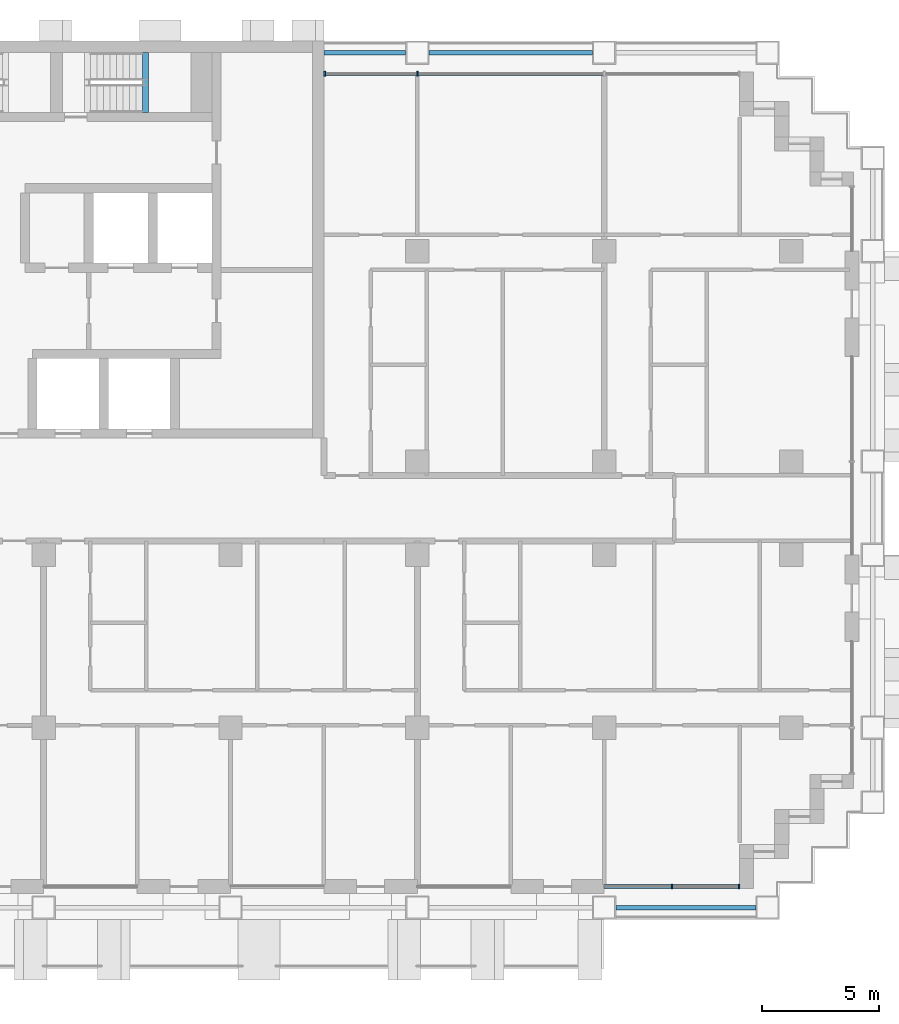
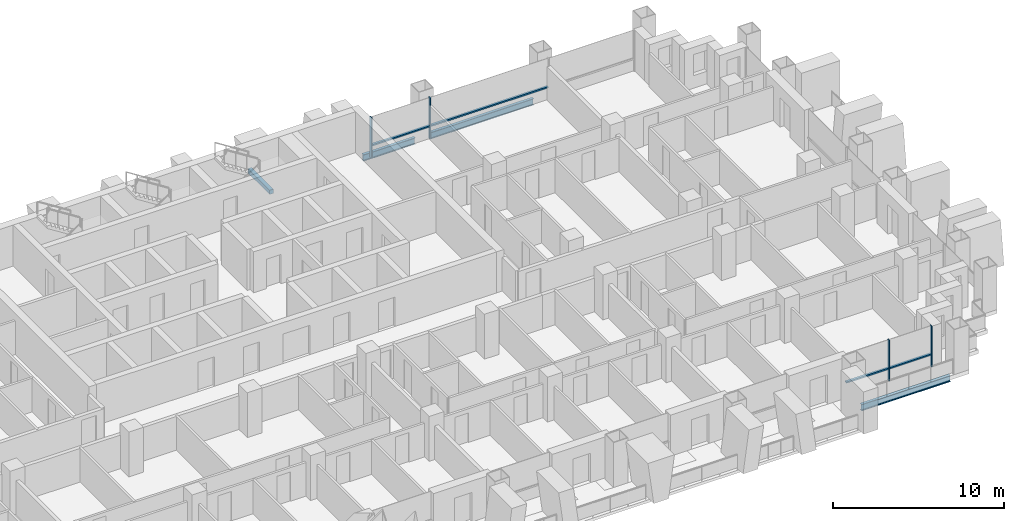
# One storey, part 5 of 18: 8 members, 4 beams, 2 elements without a shape of their own.
"""IFC4 building model written with IfcOpenShell, lengths in metres."""

from ifc_helpers import new_model, si_unit, direction, frame, origin, origin_2d, place, context, subcontext, project, spatial, rectangle, i_section, extrude, material, material_profile, profile_set, type_object, element, aggregate, save


model = new_model("IFC4")

# Units and contexts
model_context = context("Model", 3, precision=1e-05, world=origin(), true_north=direction((0.0, 1.0)))
body_context = subcontext(model_context, "Body", "Model", "MODEL_VIEW")
ifc_project = project(units=[si_unit("LENGTHUNIT", "METRE"), si_unit("AREAUNIT", "SQUARE_METRE"), si_unit("VOLUMEUNIT", "CUBIC_METRE"), si_unit("PLANEANGLEUNIT", "RADIAN"), si_unit("MASSUNIT", "GRAM", prefix="KILO")], contexts=[model_context])

# Site, building, storey
site_placement = place(None, origin())
site = spatial("IfcSite", under=ifc_project, at=site_placement, CompositionType="ELEMENT")
building_placement = place(site_placement, origin())
building = spatial("IfcBuilding", under=site, at=building_placement, Name="Vidyagriha Tower", CompositionType="ELEMENT")
storey_placement = place(building_placement, frame((0.0, 0.0, 41.60009765625)))
storey = spatial("IfcBuildingStorey", under=building, at=storey_placement, Name="L10", CompositionType="ELEMENT", Elevation=41.60009765625)

# Beams
ifc_material_1 = material(Name="Steel ASTM A992 Grade 50", Category="steel")
ifc_material_profile_1 = material_profile(ifc_material_1, i_section(OverallWidth=0.19189453125, OverallDepth=0.46240234375, WebThickness=0.010498046875, FlangeThickness=0.017578125, at=origin_2d()), Name="W18X60")
ifc_profile_set_1 = profile_set([ifc_material_profile_1], Name="Steel ASTM A992 Grade 50")
beam_type_1 = type_object("IfcBeamType", Name="Edge beam W18X60", PredefinedType="SPANDREL", material=ifc_profile_set_1)
beam_1_placement = place(storey_placement, frame((26.5, -17.10009765625, -0.51123046875), z_axis=(1.0, 0.0, 0.0), x_axis=(0.0, 1.0, 0.0)))
element("IfcBeam", 1, at=beam_1_placement, inside=storey, type_object=beam_type_1, Name="st-beam-L10-S09", PredefinedType="SPANDREL", context=body_context, shape_type="SweptSolid", body=[
    extrude(i_section(OverallWidth=0.19189453125, OverallDepth=0.46240234375, WebThickness=0.010498046875, FlangeThickness=0.017578125, at=origin_2d()), origin(), (0.0, 0.0, 1.0), 6.0),
])
beam_2_placement = place(storey_placement, frame((18.5, 19.5, -0.51123046875), z_axis=(1.0, 0.0, 0.0), x_axis=(0.0, 1.0, 0.0)))
element("IfcBeam", 2, at=beam_2_placement, inside=storey, type_object=beam_type_1, Name="st-beam-L10-NE22", PredefinedType="SPANDREL", context=body_context, shape_type="SweptSolid", body=[
    extrude(i_section(OverallWidth=0.19189453125, OverallDepth=0.46240234375, WebThickness=0.010498046875, FlangeThickness=0.017578125, at=origin_2d()), origin(), (0.0, 0.0, 1.0), 7.0),
])
beam_3_placement = place(storey_placement, frame((14.0, 19.5, -0.51123046875), z_axis=(1.0, 0.0, 0.0), x_axis=(0.0, 1.0, 0.0)))
element("IfcBeam", 3, at=beam_3_placement, inside=storey, type_object=beam_type_1, Name="st-beam-L10-NC25", PredefinedType="SPANDREL", context=body_context, shape_type="SweptSolid", body=[
    extrude(i_section(OverallWidth=0.19189453125, OverallDepth=0.46240234375, WebThickness=0.010498046875, FlangeThickness=0.017578125, at=origin_2d()), origin(), (0.0, 0.0, 1.0), 3.5),
])

# Curtain wall, members
ifc_material_2 = material(Name="Aluminium and glass curtain wall", Category="aluminium")
curtain_wall_type = type_object("IfcCurtainWallType", Name="Dwelling skin unitised curtain wall", PredefinedType="USERDEFINED", material=ifc_material_2)
curtain_wall_1_placement = place(storey_placement, origin())
curtain_wall_1 = element("IfcCurtainWall", 4, at=curtain_wall_1_placement, inside=storey, type_object=curtain_wall_type, Name="CW1 dwelling skin", ObjectType="UNITISED", PredefinedType="USERDEFINED")
ifc_material_3 = material(Name="Aluminium black anodised", Category="aluminium")
ifc_material_profile_2 = material_profile(ifc_material_3, rectangle(XDim=0.199951171875, YDim=0.070068359375, at=origin_2d()), Name="Mullion 70x200 black aluminium")
ifc_profile_set_2 = profile_set([ifc_material_profile_2], Name="Aluminium black anodised")
member_type_1 = type_object("IfcMemberType", Name="Mullion 70x200 black aluminium", PredefinedType="MULLION", material=ifc_profile_set_2)
member_1_placement = place(storey_placement, frame((18.0, 18.60009765625, 0.0), z_axis=(0.0, 0.0, 1.0), x_axis=(0.0, -1.0, 0.0)))
member_1 = element("IfcMember", 5, at=member_1_placement, type_object=member_type_1, Name="CW1 mullion 3", PredefinedType="MULLION", context=body_context, shape_type="SweptSolid", body=[
    extrude(rectangle(XDim=0.199951171875, YDim=0.070068359375, at=origin_2d()), origin(), (0.0, 0.0, 1.0), 2.919921875),
])
member_2_placement = place(storey_placement, frame((14.034912109375, 18.60009765625, 0.0), z_axis=(0.0, 0.0, 1.0), x_axis=(0.0, -1.0, 0.0)))
member_2 = element("IfcMember", 6, at=member_2_placement, type_object=member_type_1, Name="CW1 mullion 4", PredefinedType="MULLION", context=body_context, shape_type="SweptSolid", body=[
    extrude(rectangle(XDim=0.199951171875, YDim=0.070068359375, at=origin_2d()), origin(), (0.0, 0.0, 1.0), 2.919921875),
])

curtain_wall_2_placement = place(storey_placement, origin())
curtain_wall_2 = element("IfcCurtainWall", 7, at=curtain_wall_2_placement, inside=storey, type_object=curtain_wall_type, Name="CW1 dwelling skin", ObjectType="UNITISED", PredefinedType="USERDEFINED")
member_3_placement = place(storey_placement, frame((28.89990234375, -16.199951171875, 0.0), z_axis=(0.0, 0.0, 1.0), x_axis=(0.0, 1.0, 0.0)))
member_3 = element("IfcMember", 8, at=member_3_placement, type_object=member_type_1, Name="CW1 mullion 2", PredefinedType="MULLION", context=body_context, shape_type="SweptSolid", body=[
    extrude(rectangle(XDim=0.199951171875, YDim=0.070068359375, at=origin_2d()), origin(), (0.0, 0.0, 1.0), 2.919921875),
])
member_4_placement = place(storey_placement, frame((31.764892578125, -16.199951171875, 0.0), z_axis=(0.0, 0.0, 1.0), x_axis=(0.0, 1.0, 0.0)))
member_4 = element("IfcMember", 9, at=member_4_placement, type_object=member_type_1, Name="CW1 mullion 3", PredefinedType="MULLION", context=body_context, shape_type="SweptSolid", body=[
    extrude(rectangle(XDim=0.199951171875, YDim=0.070068359375, at=origin_2d()), origin(), (0.0, 0.0, 1.0), 2.919921875),
])

# Beam
ifc_material_4 = material(Name="Concrete C40/50", Category="concrete")
ifc_material_profile_3 = material_profile(ifc_material_4, rectangle(XDim=0.25, YDim=0.300048828125, at=origin_2d()), Name="Stair landing bearing beam 250x300")
ifc_profile_set_3 = profile_set([ifc_material_profile_3], Name="Concrete C40/50")
beam_type_2 = type_object("IfcBeamType", Name="Stair landing bearing beam 250x300", PredefinedType="BEAM", material=ifc_profile_set_3)
beam_4_placement = place(storey_placement, frame((6.364990234375, 16.949951171875, 1.25), z_axis=(0.0, 1.0, 0.0), x_axis=(-1.0, 0.0, 0.0)))
element("IfcBeam", 10, at=beam_4_placement, inside=storey, type_object=beam_type_2, Name="ST3 landing bearing beam L10", PredefinedType="BEAM", context=body_context, shape_type="SweptSolid", body=[
    extrude(rectangle(XDim=0.25, YDim=0.300048828125, at=origin_2d()), origin(), (0.0, 0.0, 1.0), 2.550048828125),
])

# Member
ifc_material_5 = material(Name="Aluminium black anodised", Category="aluminium")
ifc_material_profile_4 = material_profile(ifc_material_5, rectangle(XDim=0.159912109375, YDim=0.10009765625, at=origin_2d()), Name="Transom 100x160 black aluminium")
ifc_profile_set_4 = profile_set([ifc_material_profile_4], Name="Aluminium black anodised")
member_type_2 = type_object("IfcMemberType", Name="Transom 100x160 black aluminium", PredefinedType="USERDEFINED", material=ifc_profile_set_4)
member_5_placement = place(storey_placement, frame((25.965087890625, 18.60009765625, 0.89990234375), z_axis=(-1.0, 0.0, 0.0), x_axis=(0.0, -1.0, 0.0)))
member_5 = element("IfcMember", 11, at=member_5_placement, type_object=member_type_2, Name="CW1 transom 2.1", ObjectType="TRANSOM", PredefinedType="USERDEFINED", context=body_context, shape_type="SweptSolid", body=[
    extrude(rectangle(XDim=0.159912109375, YDim=0.10009765625, at=origin_2d()), origin(), (0.0, 0.0, 1.0), 7.93017578125),
])

member_6_placement = place(storey_placement, frame((17.965087890625, 18.60009765625, 0.89990234375), z_axis=(-1.0, 0.0, 0.0), x_axis=(0.0, -1.0, 0.0)))
member_6 = element("IfcMember", 12, at=member_6_placement, type_object=member_type_2, Name="CW1 transom 3.1", ObjectType="TRANSOM", PredefinedType="USERDEFINED", context=body_context, shape_type="SweptSolid", body=[
    extrude(rectangle(XDim=0.159912109375, YDim=0.10009765625, at=origin_2d()), origin(), (0.0, 0.0, 1.0), 3.89501953125),
])

aggregate(curtain_wall_1, [member_1, member_2, member_5, member_6])

member_7_placement = place(storey_placement, frame((26.0, -16.199951171875, 0.89990234375), z_axis=(1.0, 0.0, 0.0), x_axis=(0.0, 1.0, 0.0)))
member_7 = element("IfcMember", 13, at=member_7_placement, type_object=member_type_2, Name="CW1 transom 1.1", ObjectType="TRANSOM", PredefinedType="USERDEFINED", context=body_context, shape_type="SweptSolid", body=[
    extrude(rectangle(XDim=0.159912109375, YDim=0.10009765625, at=origin_2d()), origin(), (0.0, 0.0, 1.0), 2.864990234375),
])

member_8_placement = place(storey_placement, frame((28.93505859375, -16.199951171875, 0.89990234375), z_axis=(1.0, 0.0, 0.0), x_axis=(0.0, 1.0, 0.0)))
member_8 = element("IfcMember", 14, at=member_8_placement, type_object=member_type_2, Name="CW1 transom 2.1", ObjectType="TRANSOM", PredefinedType="USERDEFINED", context=body_context, shape_type="SweptSolid", body=[
    extrude(rectangle(XDim=0.159912109375, YDim=0.10009765625, at=origin_2d()), origin(), (0.0, 0.0, 1.0), 2.794921875),
])

aggregate(curtain_wall_2, [member_3, member_4, member_7, member_8])

save(model, "model.ifc")
